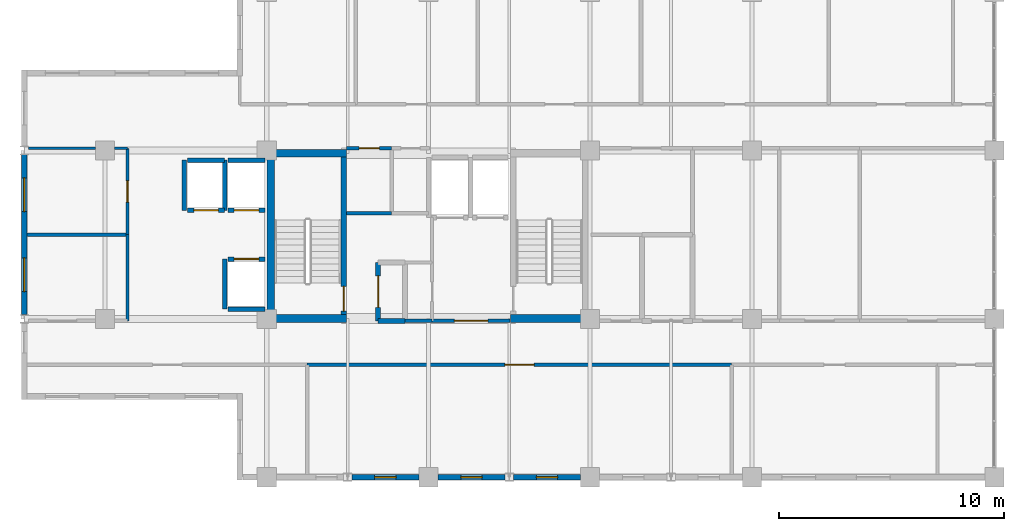
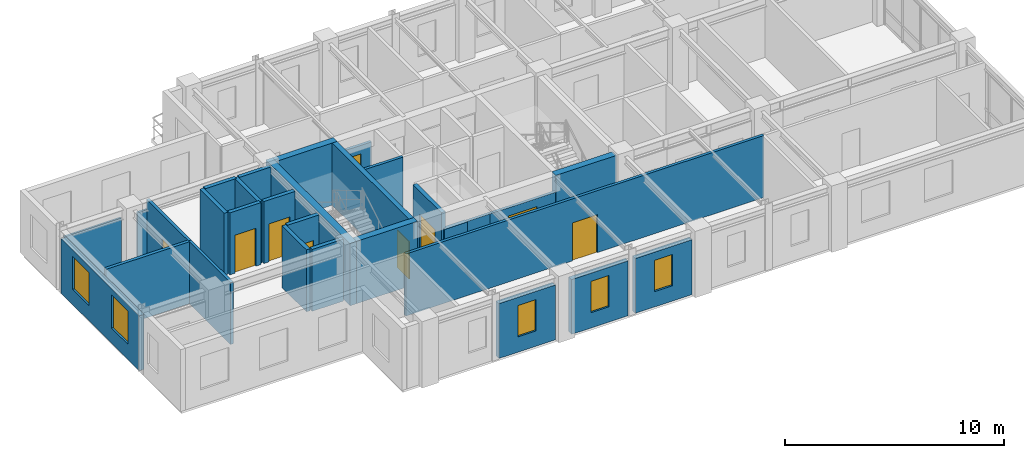
# One storey, part 6 of 10: 30 walls, 9 doors, 5 windows, 14 openings.
"""IFC4 building model written with IfcOpenShell, lengths in metres."""

from ifc_helpers import new_model, si_unit, direction, frame, frame_2d, origin, place, context, subcontext, project, spatial, rectangle, extrude, material, layer, layer_set, type_object, element, fill, save


model = new_model("IFC4")

# Units and contexts
model_context = context("Model", 3, precision=1e-05, world=origin(), true_north=direction((0.0, 1.0)))
body_context = subcontext(model_context, "Body", "Model", "MODEL_VIEW")
ifc_project = project(units=[si_unit("LENGTHUNIT", "METRE"), si_unit("AREAUNIT", "SQUARE_METRE"), si_unit("VOLUMEUNIT", "CUBIC_METRE"), si_unit("PLANEANGLEUNIT", "RADIAN"), si_unit("MASSUNIT", "GRAM", prefix="KILO")], contexts=[model_context])

# Site, building, storey
site_placement = place(None, origin())
site = spatial("IfcSite", under=ifc_project, at=site_placement, CompositionType="ELEMENT")
building_placement = place(site_placement, origin())
building = spatial("IfcBuilding", under=site, at=building_placement, Name="Kaliganga Portal Commons", CompositionType="ELEMENT")
storey_placement = place(building_placement, frame((0.0, 0.0, 283.199951171875)))
storey = spatial("IfcBuildingStorey", under=building, at=storey_placement, Name="L73", CompositionType="ELEMENT", Elevation=283.199951171875)

# Walls
ifc_material_1 = material(Name="Concrete C50/60", Category="concrete")
ifc_layer_1 = layer(ifc_material_1, 0.35009765625)
ifc_layer_set_1 = layer_set([ifc_layer_1], Name="Concrete C50/60")
wall_type_1 = type_object("IfcWallType", Name="WL-CORE-350", PredefinedType="SHEAR", material=ifc_layer_set_1)
wall_1_placement = place(storey_placement, frame((14.574951171875, 28.5, 0.0), z_axis=(0.0, 0.0, 1.0), x_axis=(0.0, 1.0, 0.0)))
element("IfcWall", 1, at=wall_1_placement, inside=storey, type_object=wall_type_1, Name="Core A West Shear Wall L73", PredefinedType="SHEAR", context=body_context, shape_type="SweptSolid", body=[
    extrude(rectangle(XDim=7.699951171875, YDim=0.35009765625, at=frame_2d((3.85009765625, 0.0))), origin(), (0.0, 0.0, 1.0), 3.47509765625),
])
for number, where, z_axis, x_axis, name in (
    (2, (14.75, 28.675048828125, 0.0), (0.0, 0.0, 1.0), (1.0, 0.0, 0.0), "Core A S-West Shear Wall L73"),
    (3, (25.25, 28.675048828125, 0.0), (0.0, 0.0, 1.0), (1.0, 0.0, 0.0), "Core A S-East Shear Wall L73"),
    (4, (14.75, 36.02490234375, 0.0), (0.0, 0.0, 1.0), (1.0, 0.0, 0.0), "Core A N-West Shear Wall L73"),
):
    element("IfcWall", number, at=place(storey_placement, frame(where, z_axis=z_axis, x_axis=x_axis)), inside=storey, type_object=wall_type_1, Name=name, PredefinedType="SHEAR", context=body_context, shape_type="SweptSolid", body=[
        extrude(rectangle(XDim=3.199951171875, YDim=0.35009765625, at=frame_2d((1.60009765625, 0.0))), origin(), (0.0, 0.0, 1.0), 3.47509765625),
    ])

# Wall, opening, window
ifc_material_2 = material(Name="Insulated Aluminium-Clad Spandrel Assembly", Category="aluminium")
ifc_layer_2 = layer(ifc_material_2, 0.260009765625)
ifc_layer_set_2 = layer_set([ifc_layer_2], Name="Insulated Aluminium-Clad Spandrel Assembly")
wall_type_2 = type_object("IfcWallType", Name="WL-EXT-SPAND-260", PredefinedType="STANDARD", material=ifc_layer_set_2)
wall_2_placement = place(storey_placement, frame((21.174072265625, 21.60009765625, 0.0), z_axis=(0.0, 0.0, 1.0), x_axis=(-1.0, 0.0, 0.0)))
wall_2 = element("IfcWall", 5, at=wall_2_placement, inside=storey, type_object=wall_type_2, Name="Exterior Envelope Wall L73 P1-E00-S3", PredefinedType="STANDARD", context=body_context, shape_type="SweptSolid", body=[
    extrude(rectangle(XDim=2.986083984375, YDim=0.260009765625, at=frame_2d((1.4931640625, 0.0))), origin(), (0.0, 0.0, 1.0), 3.054931640625),
])
opening_1_placement = place(wall_2_placement, frame((1.01806640625, 0.0, 0.85009765625)))
opening_1 = element("IfcOpeningElement", 6, at=opening_1_placement, cuts=wall_2, Name="Opening W-04", PredefinedType="OPENING", context=body_context, shape_type="SweptSolid", body=[
    extrude(rectangle(XDim=0.949951171875, YDim=1.75, at=frame_2d((0.47509765625, 0.875))), frame((0.0, 0.14013671875, 0.0), z_axis=(0.0, -1.0, 0.0), x_axis=(1.0, 0.0, 0.0)), (0.0, 0.0, 1.0), 0.280029296875),
])
ifc_material_3 = material(Name="Thermally Broken Aluminium and Low-E Double Glazing", Category="aluminium")
window_type_1 = type_object("IfcWindowType", Name="WIN-NARROW-950", PartitioningType="SINGLE_PANEL", PredefinedType="WINDOW", material=ifc_material_3)
window_1_placement = place(opening_1_placement, origin())
window_1 = element("IfcWindow", 7, at=window_1_placement, inside=storey, type_object=window_type_1, Name="Facade Window L73-P1E00S3-00", OverallHeight=1.75, OverallWidth=0.949951171875, PartitioningType="SINGLE_PANEL", PredefinedType="WINDOW", context=body_context, shape_type="SweptSolid", body=[
    extrude(rectangle(XDim=0.949951171875, YDim=1.75, at=frame_2d((0.47509765625, 0.875))), frame((0.0, 0.030029296875, 0.0), z_axis=(0.0, -1.0, 0.0), x_axis=(1.0, 0.0, 0.0)), (0.0, 0.0, 1.0), 0.06005859375),
])
fill(opening_1, window_1)

wall_3_placement = place(storey_placement, frame((25.011962890625, 21.60009765625, 0.0), z_axis=(0.0, 0.0, 1.0), x_axis=(-1.0, 0.0, 0.0)))
wall_3 = element("IfcWall", 8, at=wall_3_placement, inside=storey, type_object=wall_type_2, Name="Exterior Envelope Wall L73 P1-E00-S4", PredefinedType="STANDARD", context=body_context, shape_type="SweptSolid", body=[
    extrude(rectangle(XDim=2.986083984375, YDim=0.260009765625, at=frame_2d((1.4931640625, 0.0))), origin(), (0.0, 0.0, 1.0), 3.054931640625),
])
opening_2_placement = place(wall_3_placement, frame((1.01806640625, 0.0, 0.85009765625)))
opening_2 = element("IfcOpeningElement", 9, at=opening_2_placement, cuts=wall_3, Name="Opening W-04", PredefinedType="OPENING", context=body_context, shape_type="SweptSolid", body=[
    extrude(rectangle(XDim=0.949951171875, YDim=1.75, at=frame_2d((0.47509765625, 0.875))), frame((0.0, 0.14013671875, 0.0), z_axis=(0.0, -1.0, 0.0), x_axis=(1.0, 0.0, 0.0)), (0.0, 0.0, 1.0), 0.280029296875),
])
window_2_placement = place(opening_2_placement, origin())
window_2 = element("IfcWindow", 10, at=window_2_placement, inside=storey, type_object=window_type_1, Name="Facade Window L73-P1E00S4-00", OverallHeight=1.75, OverallWidth=0.949951171875, PartitioningType="SINGLE_PANEL", PredefinedType="WINDOW", context=body_context, shape_type="SweptSolid", body=[
    extrude(rectangle(XDim=0.949951171875, YDim=1.75, at=frame_2d((0.47509765625, 0.875))), frame((0.0, 0.030029296875, 0.0), z_axis=(0.0, -1.0, 0.0), x_axis=(1.0, 0.0, 0.0)), (0.0, 0.0, 1.0), 0.06005859375),
])
fill(opening_2, window_2)

wall_4_placement = place(storey_placement, frame((28.3740234375, 21.60009765625, 0.0), z_axis=(0.0, 0.0, 1.0), x_axis=(-1.0, 0.0, 0.0)))
wall_4 = element("IfcWall", 11, at=wall_4_placement, inside=storey, type_object=wall_type_2, Name="Exterior Envelope Wall L73 P1-E00-S5", PredefinedType="STANDARD", context=body_context, shape_type="SweptSolid", body=[
    extrude(rectangle(XDim=2.986083984375, YDim=0.260009765625, at=frame_2d((1.4931640625, 0.0))), origin(), (0.0, 0.0, 1.0), 3.054931640625),
])
opening_3_placement = place(wall_4_placement, frame((1.01806640625, 0.0, 0.85009765625)))
opening_3 = element("IfcOpeningElement", 12, at=opening_3_placement, cuts=wall_4, Name="Opening W-04", PredefinedType="OPENING", context=body_context, shape_type="SweptSolid", body=[
    extrude(rectangle(XDim=0.949951171875, YDim=1.75, at=frame_2d((0.47509765625, 0.875))), frame((0.0, 0.14013671875, 0.0), z_axis=(0.0, -1.0, 0.0), x_axis=(1.0, 0.0, 0.0)), (0.0, 0.0, 1.0), 0.280029296875),
])
window_3_placement = place(opening_3_placement, origin())
window_3 = element("IfcWindow", 13, at=window_3_placement, inside=storey, type_object=window_type_1, Name="Facade Window L73-P1E00S5-00", OverallHeight=1.75, OverallWidth=0.949951171875, PartitioningType="SINGLE_PANEL", PredefinedType="WINDOW", context=body_context, shape_type="SweptSolid", body=[
    extrude(rectangle(XDim=0.949951171875, YDim=1.75, at=frame_2d((0.47509765625, 0.875))), frame((0.0, 0.030029296875, 0.0), z_axis=(0.0, -1.0, 0.0), x_axis=(1.0, 0.0, 0.0)), (0.0, 0.0, 1.0), 0.06005859375),
])
fill(opening_3, window_3)

# Wall, openings, windows
wall_5_placement = place(storey_placement, frame((3.60009765625, 28.8369140625, 0.0), z_axis=(0.0, 0.0, 1.0), x_axis=(0.0, 1.0, 0.0)))
wall_5 = element("IfcWall", 14, at=wall_5_placement, inside=storey, type_object=wall_type_2, Name="Exterior Envelope Wall L73 P1-E05-S2", PredefinedType="STANDARD", context=body_context, shape_type="SweptSolid", body=[
    extrude(rectangle(XDim=7.1259765625, YDim=0.260009765625, at=frame_2d((3.56298828125, 0.0))), origin(), (0.0, 0.0, 1.0), 3.054931640625),
])
opening_4_placement = place(wall_5_placement, frame((1.031494140625, 0.0, 0.85009765625)))
opening_4 = element("IfcOpeningElement", 15, at=opening_4_placement, cuts=wall_5, Name="Opening W-02", PredefinedType="OPENING", context=body_context, shape_type="SweptSolid", body=[
    extrude(rectangle(XDim=1.5, YDim=1.85009765625, at=frame_2d((0.75, 0.925048828125))), frame((0.0, 0.14013671875, 0.0), z_axis=(0.0, -1.0, 0.0), x_axis=(1.0, 0.0, 0.0)), (0.0, 0.0, 1.0), 0.280029296875),
])
opening_5_placement = place(wall_5_placement, frame((4.594482421875, 0.0, 0.85009765625)))
opening_5 = element("IfcOpeningElement", 16, at=opening_5_placement, cuts=wall_5, Name="Opening W-02", PredefinedType="OPENING", context=body_context, shape_type="SweptSolid", body=[
    extrude(rectangle(XDim=1.5, YDim=1.85009765625, at=frame_2d((0.75, 0.925048828125))), frame((0.0, 0.14013671875, 0.0), z_axis=(0.0, -1.0, 0.0), x_axis=(1.0, 0.0, 0.0)), (0.0, 0.0, 1.0), 0.280029296875),
])
window_type_2 = type_object("IfcWindowType", Name="WIN-STD-1500", PartitioningType="DOUBLE_PANEL_VERTICAL", PredefinedType="WINDOW", material=ifc_material_3)
window_4_placement = place(opening_4_placement, origin())
window_4 = element("IfcWindow", 17, at=window_4_placement, inside=storey, type_object=window_type_2, Name="Facade Window L73-P1E05S2-00", OverallHeight=1.85009765625, OverallWidth=1.5, PartitioningType="SINGLE_PANEL", PredefinedType="WINDOW", context=body_context, shape_type="SweptSolid", body=[
    extrude(rectangle(XDim=1.5, YDim=1.85009765625, at=frame_2d((0.75, 0.925048828125))), frame((0.0, 0.030029296875, 0.0), z_axis=(0.0, -1.0, 0.0), x_axis=(1.0, 0.0, 0.0)), (0.0, 0.0, 1.0), 0.06005859375),
])
fill(opening_4, window_4)
window_5_placement = place(opening_5_placement, origin())
window_5 = element("IfcWindow", 18, at=window_5_placement, inside=storey, type_object=window_type_2, Name="Facade Window L73-P1E05S2-01", OverallHeight=1.85009765625, OverallWidth=1.5, PartitioningType="SINGLE_PANEL", PredefinedType="WINDOW", context=body_context, shape_type="SweptSolid", body=[
    extrude(rectangle(XDim=1.5, YDim=1.85009765625, at=frame_2d((0.75, 0.925048828125))), frame((0.0, 0.030029296875, 0.0), z_axis=(0.0, -1.0, 0.0), x_axis=(1.0, 0.0, 0.0)), (0.0, 0.0, 1.0), 0.06005859375),
])
fill(opening_5, window_5)

# Wall, opening, door
ifc_material_4 = material(Name="Fire-Rated Gypsum Board on Steel Stud", Category="steel")
ifc_layer_3 = layer(ifc_material_4, 0.14990234375)
ifc_layer_set_3 = layer_set([ifc_layer_3], Name="Fire-Rated Gypsum Board on Steel Stud")
wall_type_3 = type_object("IfcWallType", Name="WL-PART-CORR-150", PredefinedType="PARTITIONING", material=ifc_layer_set_3)
wall_6_placement = place(storey_placement, frame((16.199951171875, 26.60009765625, 0.0), z_axis=(0.0, 0.0, 1.0), x_axis=(1.0, 0.0, 0.0)))
wall_6 = element("IfcWall", 19, at=wall_6_placement, inside=storey, type_object=wall_type_3, Name="Interior Partition L73-001", PredefinedType="PARTITIONING", context=body_context, shape_type="SweptSolid", body=[
    extrude(rectangle(XDim=18.900146484375, YDim=0.14990234375, at=frame_2d((9.4501953125, 0.0))), origin(), (0.0, 0.0, 1.0), 3.455078125),
])
opening_6_placement = place(wall_6_placement, frame((8.800048828125, 0.0, 0.0)))
opening_6 = element("IfcOpeningElement", 20, at=opening_6_placement, cuts=wall_6, Name="Opening RD-03", PredefinedType="OPENING", context=body_context, shape_type="SweptSolid", body=[
    extrude(rectangle(XDim=1.300048828125, YDim=2.1201171875, at=frame_2d((0.64990234375, 1.06005859375))), frame((0.0, 0.0849609375, 0.0), z_axis=(0.0, -1.0, 0.0), x_axis=(1.0, 0.0, 0.0)), (0.0, 0.0, 1.0), 0.169921875),
])
ifc_material_5 = material(Name="Glazed Timber Seminar Vision Door", Category="wood")
door_type_1 = type_object("IfcDoorType", Name="DR-STUDY-1300", OperationType="DOUBLE_DOOR_SINGLE_SWING", PredefinedType="DOOR", material=ifc_material_5)
door_1_placement = place(opening_6_placement, origin())
door_1 = element("IfcDoor", 21, at=door_1_placement, inside=storey, type_object=door_type_1, Name="Interior Door L73-AS02", OperationType="DOUBLE_DOOR_SINGLE_SWING", OverallHeight=2.1201171875, OverallWidth=1.300048828125, PredefinedType="DOOR", context=body_context, shape_type="SweptSolid", body=[
    extrude(rectangle(XDim=1.300048828125, YDim=2.1201171875, at=frame_2d((0.64990234375, 1.06005859375))), frame((0.0, 0.02490234375, 0.0), z_axis=(0.0, -1.0, 0.0), x_axis=(1.0, 0.0, 0.0)), (0.0, 0.0, 1.0), 0.050048828125),
])
fill(opening_6, door_1)

wall_7_placement = place(storey_placement, frame((8.199951171875, 32.39990234375, 0.0), z_axis=(0.0, 0.0, 1.0), x_axis=(0.0, 1.0, 0.0)))
wall_7 = element("IfcWall", 22, at=wall_7_placement, inside=storey, type_object=wall_type_3, Name="Interior Partition L73-018", PredefinedType="PARTITIONING", context=body_context, shape_type="SweptSolid", body=[
    extrude(rectangle(XDim=3.840087890625, YDim=0.14990234375, at=frame_2d((1.919921875, 0.0))), origin(), (0.0, 0.0, 1.0), 3.455078125),
])
opening_7_placement = place(wall_7_placement, frame((1.445068359375, 0.0, 0.0)))
opening_7 = element("IfcOpeningElement", 23, at=opening_7_placement, cuts=wall_7, Name="Opening UD-01", PredefinedType="OPENING", context=body_context, shape_type="SweptSolid", body=[
    extrude(rectangle(XDim=0.949951171875, YDim=2.10009765625, at=frame_2d((0.47509765625, 1.050048828125))), frame((0.0, 0.0849609375, 0.0), z_axis=(0.0, -1.0, 0.0), x_axis=(1.0, 0.0, 0.0)), (0.0, 0.0, 1.0), 0.169921875),
])
ifc_material_6 = material(Name="Solid-Core Timber Acoustic Fire Door", Category="wood")
door_type_2 = type_object("IfcDoorType", Name="DR-UNIT-950", OperationType="NOTDEFINED", PredefinedType="DOOR", material=ifc_material_6)
door_2_placement = place(opening_7_placement, origin())
door_2 = element("IfcDoor", 24, at=door_2_placement, inside=storey, type_object=door_type_2, Name="Interior Door L73-AW02", OperationType="SINGLE_SWING_RIGHT", OverallHeight=2.10009765625, OverallWidth=0.949951171875, PredefinedType="DOOR", context=body_context, shape_type="SweptSolid", body=[
    extrude(rectangle(XDim=0.949951171875, YDim=2.10009765625, at=frame_2d((0.47509765625, 1.050048828125))), frame((0.0, 0.02490234375, 0.0), z_axis=(0.0, -1.0, 0.0), x_axis=(1.0, 0.0, 0.0)), (0.0, 0.0, 1.0), 0.050048828125),
])
fill(opening_7, door_2)

# Walls
wall_8_placement = place(storey_placement, frame((8.199951171875, 28.56005859375, 0.0), z_axis=(0.0, 0.0, 1.0), x_axis=(0.0, 1.0, 0.0)))
element("IfcWall", 25, at=wall_8_placement, inside=storey, type_object=wall_type_3, Name="Interior Partition L73-019", PredefinedType="PARTITIONING", context=body_context, shape_type="SweptSolid", body=[
    extrude(rectangle(XDim=3.83984375, YDim=0.14990234375, at=frame_2d((1.919921875, 0.0))), origin(), (0.0, 0.0, 1.0), 3.455078125),
])
wall_9_placement = place(storey_placement, frame((17.9599609375, 33.360107421875, 0.0), z_axis=(0.0, 0.0, 1.0), x_axis=(1.0, 0.0, 0.0)))
element("IfcWall", 26, at=wall_9_placement, inside=storey, type_object=wall_type_3, Name="Interior Partition L73-027", PredefinedType="PARTITIONING", context=body_context, shape_type="SweptSolid", body=[
    extrude(rectangle(XDim=2.0, YDim=0.14990234375, at=frame_2d((1.0, 0.0))), origin(), (0.0, 0.0, 1.0), 3.455078125),
])

# Wall, opening, door
wall_10_placement = place(storey_placement, frame((17.9599609375, 36.239990234375, 0.0), z_axis=(0.0, 0.0, 1.0), x_axis=(1.0, 0.0, 0.0)))
wall_10 = element("IfcWall", 27, at=wall_10_placement, inside=storey, type_object=wall_type_3, Name="Interior Partition L73-028", PredefinedType="PARTITIONING", context=body_context, shape_type="SweptSolid", body=[
    extrude(rectangle(XDim=2.0, YDim=0.14990234375, at=frame_2d((1.0, 0.0))), origin(), (0.0, 0.0, 1.0), 2.554931640625),
])
opening_8_placement = place(wall_10_placement, frame((0.550048828125, 0.0, 0.0)))
opening_8 = element("IfcOpeningElement", 28, at=opening_8_placement, cuts=wall_10, Name="Opening RD-01", PredefinedType="OPENING", context=body_context, shape_type="SweptSolid", body=[
    extrude(rectangle(XDim=0.89990234375, YDim=2.080078125, at=frame_2d((0.449951171875, 1.0400390625))), frame((0.0, 0.0849609375, 0.0), z_axis=(0.0, -1.0, 0.0), x_axis=(1.0, 0.0, 0.0)), (0.0, 0.0, 1.0), 0.169921875),
])
ifc_material_7 = material(Name="Engineered Timber Flush Door", Category="wood")
door_type_3 = type_object("IfcDoorType", Name="DR-ROOM-900", OperationType="NOTDEFINED", PredefinedType="DOOR", material=ifc_material_7)
door_3_placement = place(opening_8_placement, origin())
door_3 = element("IfcDoor", 29, at=door_3_placement, inside=storey, type_object=door_type_3, Name="Interior Door L73-CREC_A1", OperationType="SINGLE_SWING_LEFT", OverallHeight=2.080078125, OverallWidth=0.89990234375, PredefinedType="DOOR", context=body_context, shape_type="SweptSolid", body=[
    extrude(rectangle(XDim=0.89990234375, YDim=2.080078125, at=frame_2d((0.449951171875, 1.0400390625))), frame((0.0, 0.02490234375, 0.0), z_axis=(0.0, -1.0, 0.0), x_axis=(1.0, 0.0, 0.0)), (0.0, 0.0, 1.0), 0.050048828125),
])
fill(opening_8, door_3)

# Wall
wall_11_placement = place(storey_placement, frame((20.56005859375, 28.56005859375, 0.0), z_axis=(0.0, 0.0, 1.0), x_axis=(1.0, 0.0, 0.0)))
element("IfcWall", 30, at=wall_11_placement, inside=storey, type_object=wall_type_3, Name="Interior Partition L73-032", PredefinedType="PARTITIONING", context=body_context, shape_type="SweptSolid", body=[
    extrude(rectangle(XDim=1.199951171875, YDim=0.14990234375, at=frame_2d((0.60009765625, 0.0))), origin(), (0.0, 0.0, 1.0), 2.554931640625),
])

# Wall, opening, door
wall_12_placement = place(storey_placement, frame((21.760009765625, 28.56005859375, 0.0), z_axis=(0.0, 0.0, 1.0), x_axis=(1.0, 0.0, 0.0)))
wall_12 = element("IfcWall", 31, at=wall_12_placement, inside=storey, type_object=wall_type_3, Name="Interior Partition L73-053", PredefinedType="PARTITIONING", context=body_context, shape_type="SweptSolid", body=[
    extrude(rectangle(XDim=3.47998046875, YDim=0.14990234375, at=frame_2d((1.739990234375, 0.0))), origin(), (0.0, 0.0, 1.0), 2.554931640625),
])
opening_9_placement = place(wall_12_placement, frame((0.989990234375, 0.0, 0.0)))
opening_9 = element("IfcOpeningElement", 32, at=opening_9_placement, cuts=wall_12, Name="Opening FD-01", PredefinedType="OPENING", context=body_context, shape_type="SweptSolid", body=[
    extrude(rectangle(XDim=1.5, YDim=2.10009765625, at=frame_2d((0.75, 1.050048828125))), frame((0.0, 0.0849609375, 0.0), z_axis=(0.0, -1.0, 0.0), x_axis=(1.0, 0.0, 0.0)), (0.0, 0.0, 1.0), 0.169921875),
])
ifc_material_8 = material(Name="Fire-Rated Hardwood and Georgian-Wired Vision Panel", Category="wood")
door_type_4 = type_object("IfcDoorType", Name="DR-LOBBY-1500", OperationType="DOUBLE_DOOR_SINGLE_SWING", PredefinedType="DOOR", material=ifc_material_8)
door_4_placement = place(opening_9_placement, origin())
door_4 = element("IfcDoor", 33, at=door_4_placement, inside=storey, type_object=door_type_4, Name="Interior Door L73-FFLOB_A", OperationType="DOUBLE_DOOR_SINGLE_SWING", OverallHeight=2.10009765625, OverallWidth=1.5, PredefinedType="DOOR", context=body_context, shape_type="SweptSolid", body=[
    extrude(rectangle(XDim=1.5, YDim=2.10009765625, at=frame_2d((0.75, 1.050048828125))), frame((0.0, 0.02490234375, 0.0), z_axis=(0.0, -1.0, 0.0), x_axis=(1.0, 0.0, 0.0)), (0.0, 0.0, 1.0), 0.050048828125),
])
fill(opening_9, door_4)

ifc_material_9 = material(Name="Lightweight blockwork masonry", Category="masonry")
ifc_layer_4 = layer(ifc_material_9, 0.215087890625)
ifc_layer_set_4 = layer_set([ifc_layer_4], Name="Lightweight blockwork masonry")
wall_type_4 = type_object("IfcWallType", Name="WL-PART-PLANT-215", PredefinedType="PARTITIONING", material=ifc_layer_set_4)
wall_13_placement = place(storey_placement, frame((19.360107421875, 28.56005859375, 0.0), z_axis=(0.0, 0.0, 1.0), x_axis=(0.0, 1.0, 0.0)))
wall_13 = element("IfcWall", 34, at=wall_13_placement, inside=storey, type_object=wall_type_4, Name="Interior Partition L73-022", PredefinedType="PARTITIONING", context=body_context, shape_type="SweptSolid", body=[
    extrude(rectangle(XDim=2.599853515625, YDim=0.215087890625, at=frame_2d((1.2998046875, 0.0))), origin(), (0.0, 0.0, 1.0), 3.455078125),
])
opening_10_placement = place(wall_13_placement, frame((0.60009765625, 0.0, 0.0)))
opening_10 = element("IfcOpeningElement", 35, at=opening_10_placement, cuts=wall_13, Name="Opening PD-01", PredefinedType="OPENING", context=body_context, shape_type="SweptSolid", body=[
    extrude(rectangle(XDim=1.39990234375, YDim=2.14990234375, at=frame_2d((0.699951171875, 1.074951171875))), frame((0.0, 0.11767578125, 0.0), z_axis=(0.0, -1.0, 0.0), x_axis=(1.0, 0.0, 0.0)), (0.0, 0.0, 1.0), 0.235107421875),
])
ifc_material_10 = material(Name="Heavy-Duty Steel Acoustic Louvre Fire Door", Category="steel")
door_type_5 = type_object("IfcDoorType", Name="DR-PLANT-1400", OperationType="DOUBLE_DOOR_SINGLE_SWING", PredefinedType="DOOR", material=ifc_material_10)
door_5_placement = place(opening_10_placement, origin())
door_5 = element("IfcDoor", 36, at=door_5_placement, inside=storey, type_object=door_type_5, Name="Interior Door L73-CIN_A1", OperationType="DOUBLE_DOOR_SINGLE_SWING", OverallHeight=2.14990234375, OverallWidth=1.39990234375, PredefinedType="DOOR", context=body_context, shape_type="SweptSolid", body=[
    extrude(rectangle(XDim=1.39990234375, YDim=2.14990234375, at=frame_2d((0.699951171875, 1.074951171875))), frame((0.0, 0.02490234375, 0.0), z_axis=(0.0, -1.0, 0.0), x_axis=(1.0, 0.0, 0.0)), (0.0, 0.0, 1.0), 0.050048828125),
])
fill(opening_10, door_5)

# Walls
wall_14_placement = place(storey_placement, frame((19.360107421875, 28.56005859375, 0.0), z_axis=(0.0, 0.0, 1.0), x_axis=(1.0, 0.0, 0.0)))
element("IfcWall", 37, at=wall_14_placement, inside=storey, type_object=wall_type_4, Name="Interior Partition L73-034", PredefinedType="PARTITIONING", context=body_context, shape_type="SweptSolid", body=[
    extrude(rectangle(XDim=1.199951171875, YDim=0.215087890625, at=frame_2d((0.60009765625, 0.0))), origin(), (0.0, 0.0, 1.0), 2.554931640625),
])
ifc_material_11 = material(Name="Moisture-Resistant Gypsum Partition", Category="gypsum")
ifc_layer_5 = layer(ifc_material_11, 0.114990234375)
ifc_layer_set_5 = layer_set([ifc_layer_5], Name="Moisture-Resistant Gypsum Partition")
wall_type_5 = type_object("IfcWallType", Name="WL-PART-ROOM-115", PredefinedType="PARTITIONING", material=ifc_layer_set_5)
wall_15_placement = place(storey_placement, frame((3.787109375, 36.239990234375, 0.0), z_axis=(0.0, 0.0, 1.0), x_axis=(1.0, 0.0, 0.0)))
element("IfcWall", 38, at=wall_15_placement, inside=storey, type_object=wall_type_5, Name="Interior Partition L73-048", PredefinedType="PARTITIONING", context=body_context, shape_type="SweptSolid", body=[
    extrude(rectangle(XDim=2.98779296875, YDim=0.114990234375, at=frame_2d((1.493896484375, 0.0))), origin(), (0.0, 0.0, 1.0), 2.905029296875),
])
wall_16_placement = place(storey_placement, frame((7.625, 36.239990234375, 0.0), z_axis=(0.0, 0.0, 1.0), x_axis=(1.0, 0.0, 0.0)))
element("IfcWall", 39, at=wall_16_placement, inside=storey, type_object=wall_type_5, Name="Interior Partition L73-049", PredefinedType="PARTITIONING", context=body_context, shape_type="SweptSolid", body=[
    extrude(rectangle(XDim=0.574951171875, YDim=0.114990234375, at=frame_2d((0.28759765625, 0.0))), origin(), (0.0, 0.0, 1.0), 2.905029296875),
])
ifc_material_12 = material(Name="Twin-Stud Acoustic Gypsum Partition", Category="gypsum")
ifc_layer_6 = layer(ifc_material_12, 0.1650390625)
ifc_layer_set_6 = layer_set([ifc_layer_6], Name="Twin-Stud Acoustic Gypsum Partition")
wall_type_6 = type_object("IfcWallType", Name="WL-PART-UNIT-165", PredefinedType="PARTITIONING", material=ifc_layer_set_6)
wall_17_placement = place(storey_placement, frame((3.73193359375, 32.39990234375, 0.0), z_axis=(0.0, 0.0, 1.0), x_axis=(1.0, 0.0, 0.0)))
element("IfcWall", 40, at=wall_17_placement, inside=storey, type_object=wall_type_6, Name="Interior Partition L73-047", PredefinedType="PARTITIONING", context=body_context, shape_type="SweptSolid", body=[
    extrude(rectangle(XDim=4.468017578125, YDim=0.1650390625, at=frame_2d((2.23388671875, 0.0))), origin(), (0.0, 0.0, 1.0), 3.455078125),
])

# Wall, opening, door
ifc_material_13 = material(Name="Fire-Rated Shaftwall Masonry Assembly", Category="masonry")
ifc_layer_7 = layer(ifc_material_13, 0.199951171875)
ifc_layer_set_7 = layer_set([ifc_layer_7], Name="Fire-Rated Shaftwall Masonry Assembly")
wall_type_7 = type_object("IfcWallType", Name="WL-SHAFT-200", PredefinedType="PARTITIONING", material=ifc_layer_set_7)
wall_18_placement = place(storey_placement, frame((12.675048828125, 33.485107421875, 0.0), z_axis=(0.0, 0.0, 1.0), x_axis=(1.0, 0.0, 0.0)))
wall_18 = element("IfcWall", 41, at=wall_18_placement, inside=storey, type_object=wall_type_7, Name="Lift PL-A3 Hoistway Shaft Wall L73-S", PredefinedType="PARTITIONING", context=body_context, shape_type="SweptSolid", body=[
    extrude(rectangle(XDim=1.64990234375, YDim=0.199951171875, at=frame_2d((0.824951171875, 0.0))), origin(), (0.0, 0.0, 1.0), 3.455078125),
])
opening_11_placement = place(wall_18_placement, frame((0.27490234375, 0.0, 0.0)))
opening_11 = element("IfcOpeningElement", 42, at=opening_11_placement, cuts=wall_18, Name="Opening LD-01", PredefinedType="OPENING", context=body_context, shape_type="SweptSolid", body=[
    extrude(rectangle(XDim=1.10009765625, YDim=2.1201171875, at=frame_2d((0.550048828125, 1.06005859375))), frame((0.0, 0.10986328125, 0.0), z_axis=(0.0, -1.0, 0.0), x_axis=(1.0, 0.0, 0.0)), (0.0, 0.0, 1.0), 0.219970703125),
])
ifc_material_14 = material(Name="Brushed Stainless Steel 316 Lift Landing Door", Category="steel")
door_type_6 = type_object("IfcDoorType", Name="DR-LIFT-1100", OperationType="SLIDING_TO_LEFT", PredefinedType="DOOR", material=ifc_material_14)
door_6_placement = place(opening_11_placement, origin())
door_6 = element("IfcDoor", 43, at=door_6_placement, inside=storey, type_object=door_type_6, Name="Lift PL-A3 Sliding Landing Door L73", OperationType="SLIDING_TO_LEFT", OverallHeight=2.1201171875, OverallWidth=1.10009765625, PredefinedType="DOOR", context=body_context, shape_type="SweptSolid", body=[
    extrude(rectangle(XDim=1.10009765625, YDim=2.1201171875, at=frame_2d((0.550048828125, 1.06005859375))), frame((0.0, 0.02490234375, 0.0), z_axis=(0.0, -1.0, 0.0), x_axis=(1.0, 0.0, 0.0)), (0.0, 0.0, 1.0), 0.050048828125),
])
fill(opening_11, door_6)

# Walls
wall_19_placement = place(storey_placement, frame((12.675048828125, 35.715087890625, 0.0), z_axis=(0.0, 0.0, 1.0), x_axis=(1.0, 0.0, 0.0)))
element("IfcWall", 44, at=wall_19_placement, inside=storey, type_object=wall_type_7, Name="Lift PL-A3 Hoistway Shaft Wall L73-N", PredefinedType="PARTITIONING", context=body_context, shape_type="SweptSolid", body=[
    extrude(rectangle(XDim=1.64990234375, YDim=0.199951171875, at=frame_2d((0.824951171875, 0.0))), origin(), (0.0, 0.0, 1.0), 3.455078125),
])
wall_20_placement = place(storey_placement, frame((12.534912109375, 33.485107421875, 0.0), z_axis=(0.0, 0.0, 1.0), x_axis=(0.0, 1.0, 0.0)))
element("IfcWall", 45, at=wall_20_placement, inside=storey, type_object=wall_type_7, Name="Lift PL-A3 Hoistway Shaft Wall L73-W", PredefinedType="PARTITIONING", context=body_context, shape_type="SweptSolid", body=[
    extrude(rectangle(XDim=2.22998046875, YDim=0.199951171875, at=frame_2d((1.114990234375, 0.0))), origin(), (0.0, 0.0, 1.0), 3.455078125),
])
wall_21_placement = place(storey_placement, frame((12.675048828125, 29.0849609375, 0.0), z_axis=(0.0, 0.0, 1.0), x_axis=(1.0, 0.0, 0.0)))
element("IfcWall", 46, at=wall_21_placement, inside=storey, type_object=wall_type_7, Name="Lift PL-A4 Hoistway Shaft Wall L73-S", PredefinedType="PARTITIONING", context=body_context, shape_type="SweptSolid", body=[
    extrude(rectangle(XDim=1.64990234375, YDim=0.199951171875, at=frame_2d((0.824951171875, 0.0))), origin(), (0.0, 0.0, 1.0), 3.455078125),
])

# Wall, opening, door
wall_22_placement = place(storey_placement, frame((12.675048828125, 31.31494140625, 0.0), z_axis=(0.0, 0.0, 1.0), x_axis=(1.0, 0.0, 0.0)))
wall_22 = element("IfcWall", 47, at=wall_22_placement, inside=storey, type_object=wall_type_7, Name="Lift PL-A4 Hoistway Shaft Wall L73-N", PredefinedType="PARTITIONING", context=body_context, shape_type="SweptSolid", body=[
    extrude(rectangle(XDim=1.64990234375, YDim=0.199951171875, at=frame_2d((0.824951171875, 0.0))), origin(), (0.0, 0.0, 1.0), 3.455078125),
])
opening_12_placement = place(wall_22_placement, frame((0.27490234375, 0.0, 0.0)))
opening_12 = element("IfcOpeningElement", 48, at=opening_12_placement, cuts=wall_22, Name="Opening LD-01", PredefinedType="OPENING", context=body_context, shape_type="SweptSolid", body=[
    extrude(rectangle(XDim=1.10009765625, YDim=2.1201171875, at=frame_2d((0.550048828125, 1.06005859375))), frame((0.0, 0.10986328125, 0.0), z_axis=(0.0, -1.0, 0.0), x_axis=(1.0, 0.0, 0.0)), (0.0, 0.0, 1.0), 0.219970703125),
])
door_7_placement = place(opening_12_placement, origin())
door_7 = element("IfcDoor", 49, at=door_7_placement, inside=storey, type_object=door_type_6, Name="Lift PL-A4 Sliding Landing Door L73", OperationType="SLIDING_TO_LEFT", OverallHeight=2.1201171875, OverallWidth=1.10009765625, PredefinedType="DOOR", context=body_context, shape_type="SweptSolid", body=[
    extrude(rectangle(XDim=1.10009765625, YDim=2.1201171875, at=frame_2d((0.550048828125, 1.06005859375))), frame((0.0, 0.02490234375, 0.0), z_axis=(0.0, -1.0, 0.0), x_axis=(1.0, 0.0, 0.0)), (0.0, 0.0, 1.0), 0.050048828125),
])
fill(opening_12, door_7)

# Wall
wall_23_placement = place(storey_placement, frame((12.534912109375, 29.0849609375, 0.0), z_axis=(0.0, 0.0, 1.0), x_axis=(0.0, 1.0, 0.0)))
element("IfcWall", 50, at=wall_23_placement, inside=storey, type_object=wall_type_7, Name="Lift PL-A4 Hoistway Shaft Wall L73-W", PredefinedType="PARTITIONING", context=body_context, shape_type="SweptSolid", body=[
    extrude(rectangle(XDim=2.22998046875, YDim=0.199951171875, at=frame_2d((1.114990234375, 0.0))), origin(), (0.0, 0.0, 1.0), 3.455078125),
])

# Wall, opening, door
wall_24_placement = place(storey_placement, frame((10.875, 33.485107421875, 0.0), z_axis=(0.0, 0.0, 1.0), x_axis=(1.0, 0.0, 0.0)))
wall_24 = element("IfcWall", 51, at=wall_24_placement, inside=storey, type_object=wall_type_7, Name="Lift PL-OBS Hoistway Shaft Wall L73-S", PredefinedType="PARTITIONING", context=body_context, shape_type="SweptSolid", body=[
    extrude(rectangle(XDim=1.64990234375, YDim=0.199951171875, at=frame_2d((0.824951171875, 0.0))), origin(), (0.0, 0.0, 1.0), 3.455078125),
])
opening_13_placement = place(wall_24_placement, frame((0.27490234375, 0.0, 0.0)))
opening_13 = element("IfcOpeningElement", 52, at=opening_13_placement, cuts=wall_24, Name="Opening LD-01", PredefinedType="OPENING", context=body_context, shape_type="SweptSolid", body=[
    extrude(rectangle(XDim=1.10009765625, YDim=2.1201171875, at=frame_2d((0.550048828125, 1.06005859375))), frame((0.0, 0.10986328125, 0.0), z_axis=(0.0, -1.0, 0.0), x_axis=(1.0, 0.0, 0.0)), (0.0, 0.0, 1.0), 0.219970703125),
])
door_8_placement = place(opening_13_placement, origin())
door_8 = element("IfcDoor", 53, at=door_8_placement, inside=storey, type_object=door_type_6, Name="Lift PL-OBS Sliding Landing Door L73", OperationType="SLIDING_TO_LEFT", OverallHeight=2.1201171875, OverallWidth=1.10009765625, PredefinedType="DOOR", context=body_context, shape_type="SweptSolid", body=[
    extrude(rectangle(XDim=1.10009765625, YDim=2.1201171875, at=frame_2d((0.550048828125, 1.06005859375))), frame((0.0, 0.02490234375, 0.0), z_axis=(0.0, -1.0, 0.0), x_axis=(1.0, 0.0, 0.0)), (0.0, 0.0, 1.0), 0.050048828125),
])
fill(opening_13, door_8)

# Walls
wall_25_placement = place(storey_placement, frame((10.875, 35.715087890625, 0.0), z_axis=(0.0, 0.0, 1.0), x_axis=(1.0, 0.0, 0.0)))
element("IfcWall", 54, at=wall_25_placement, inside=storey, type_object=wall_type_7, Name="Lift PL-OBS Hoistway Shaft Wall L73-N", PredefinedType="PARTITIONING", context=body_context, shape_type="SweptSolid", body=[
    extrude(rectangle(XDim=1.64990234375, YDim=0.199951171875, at=frame_2d((0.824951171875, 0.0))), origin(), (0.0, 0.0, 1.0), 3.455078125),
])
wall_26_placement = place(storey_placement, frame((10.735107421875, 33.485107421875, 0.0), z_axis=(0.0, 0.0, 1.0), x_axis=(0.0, 1.0, 0.0)))
element("IfcWall", 55, at=wall_26_placement, inside=storey, type_object=wall_type_7, Name="Lift PL-OBS Hoistway Shaft Wall L73-W", PredefinedType="PARTITIONING", context=body_context, shape_type="SweptSolid", body=[
    extrude(rectangle(XDim=2.22998046875, YDim=0.199951171875, at=frame_2d((1.114990234375, 0.0))), origin(), (0.0, 0.0, 1.0), 3.455078125),
])

# Wall, opening, door
ifc_layer_8 = layer(ifc_material_1, 0.25)
ifc_layer_set_8 = layer_set([ifc_layer_8], Name="Concrete C50/60")
wall_type_8 = type_object("IfcWallType", Name="WL-STAIR-250", PredefinedType="SHEAR", material=ifc_layer_set_8)
wall_27_placement = place(storey_placement, frame((17.824951171875, 28.85009765625, 0.0), z_axis=(0.0, 0.0, 1.0), x_axis=(0.0, 1.0, 0.0)))
wall_27 = element("IfcWall", 56, at=wall_27_placement, inside=storey, type_object=wall_type_8, Name="Stair A1 Enclosure Shear Wall L73", PredefinedType="SHEAR", context=body_context, shape_type="SweptSolid", body=[
    extrude(rectangle(XDim=7.0, YDim=0.25, at=frame_2d((3.5, 0.0))), origin(), (0.0, 0.0, 1.0), 3.47509765625),
])
opening_14_placement = place(wall_27_placement, frame((0.14990234375, 0.0, 0.0)))
opening_14 = element("IfcOpeningElement", 57, at=opening_14_placement, cuts=wall_27, Name="Opening SD-01", PredefinedType="OPENING", context=body_context, shape_type="SweptSolid", body=[
    extrude(rectangle(XDim=1.10009765625, YDim=2.080078125, at=frame_2d((0.550048828125, 1.0400390625))), frame((0.0, 0.135009765625, 0.0), z_axis=(0.0, -1.0, 0.0), x_axis=(1.0, 0.0, 0.0)), (0.0, 0.0, 1.0), 0.27001953125),
])
ifc_material_15 = material(Name="Galvanized Steel Fire Door Leaf and Frame", Category="steel")
door_type_7 = type_object("IfcDoorType", Name="DR-STAIR-1100", OperationType="NOTDEFINED", PredefinedType="DOOR", material=ifc_material_15)
door_9_placement = place(opening_14_placement, origin())
door_9 = element("IfcDoor", 58, at=door_9_placement, inside=storey, type_object=door_type_7, Name="Protected Stair ST-A1 Fire Door L73", OperationType="SINGLE_SWING_LEFT", OverallHeight=2.080078125, OverallWidth=1.10009765625, PredefinedType="DOOR", context=body_context, shape_type="SweptSolid", body=[
    extrude(rectangle(XDim=1.10009765625, YDim=2.080078125, at=frame_2d((0.550048828125, 1.0400390625))), frame((0.0, 0.02490234375, 0.0), z_axis=(0.0, -1.0, 0.0), x_axis=(1.0, 0.0, 0.0)), (0.0, 0.0, 1.0), 0.050048828125),
])
fill(opening_14, door_9)

save(model, "model.ifc")
